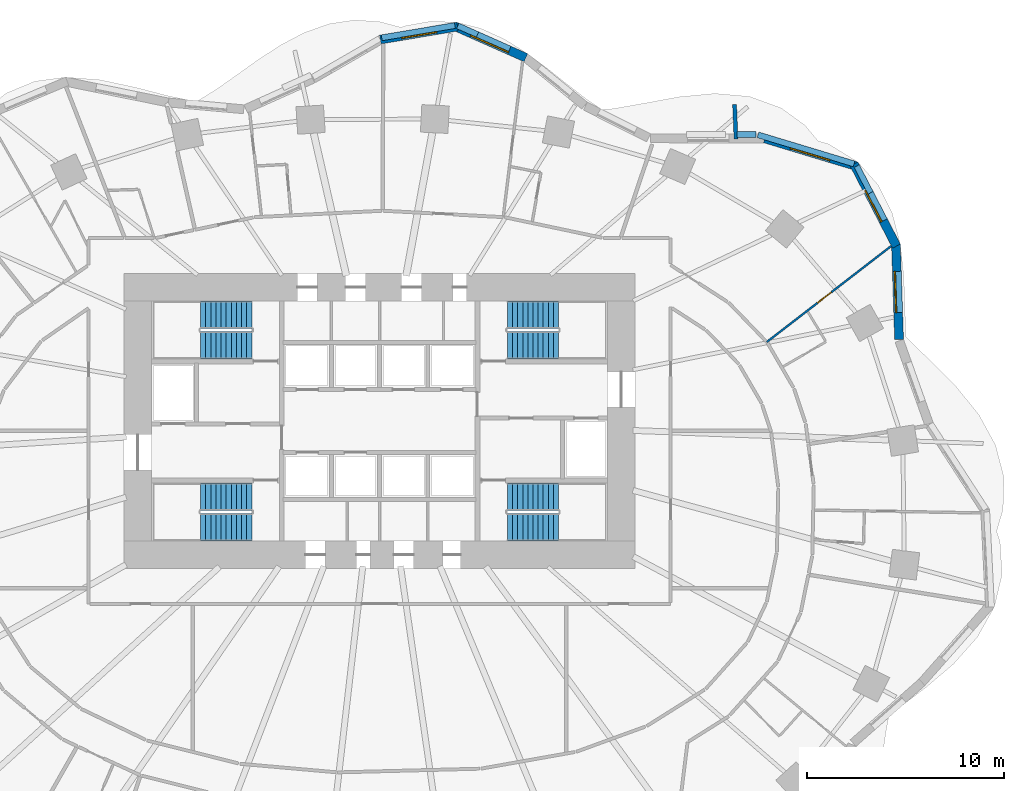
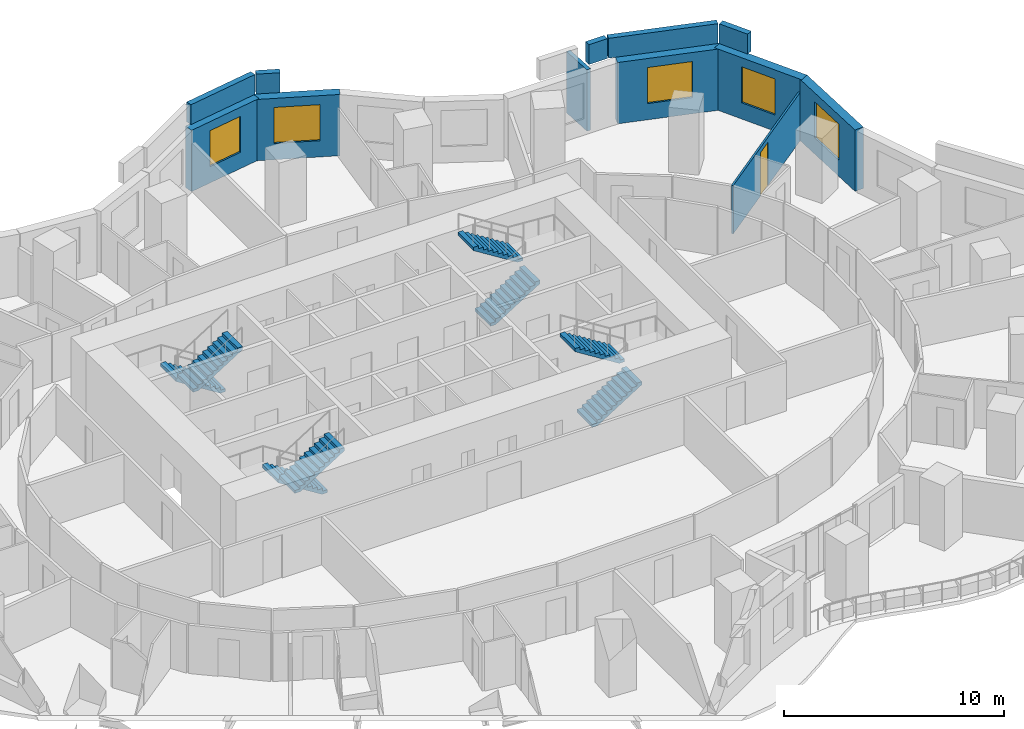
# One storey, part 11 of 14: 12 walls, 8 stair flights, 5 windows, 1 door, 6 openings, 4 elements without a shape of their own.
"""IFC4 building model written with IfcOpenShell, lengths in metres."""

from ifc_helpers import new_model, si_unit, direction, frame, frame_2d, origin, place, context, subcontext, project, spatial, polyline, rectangle, outline, extrude, material, layer, layer_set, type_object, element, fill, aggregate, save


model = new_model("IFC4")

# Units and contexts
model_context = context("Model", 3, precision=1e-05, world=origin(), true_north=direction((0.0, 1.0)))
body_context = subcontext(model_context, "Body", "Model", "MODEL_VIEW")
ifc_project = project(units=[si_unit("LENGTHUNIT", "METRE"), si_unit("AREAUNIT", "SQUARE_METRE"), si_unit("VOLUMEUNIT", "CUBIC_METRE"), si_unit("PLANEANGLEUNIT", "RADIAN"), si_unit("MASSUNIT", "GRAM", prefix="KILO")], contexts=[model_context])

# Site, building, storey
site_placement = place(None, origin())
site = spatial("IfcSite", under=ifc_project, at=site_placement, CompositionType="ELEMENT")
building_placement = place(site_placement, origin())
building = spatial("IfcBuilding", under=site, at=building_placement, Name="Rubra Terraces Tower", CompositionType="ELEMENT")
storey_placement = place(building_placement, frame((0.0, 0.0, 44.699951171875)))
storey = spatial("IfcBuildingStorey", under=building, at=storey_placement, Name="L08", CompositionType="ELEMENT", Elevation=44.699951171875)

# Wall, opening, window
ifc_material_1 = material(Name="Brick masonry red-brown", Category="masonry")
ifc_layer_1 = layer(ifc_material_1, 0.449951171875)
ifc_layer_set_1 = layer_set([ifc_layer_1], Name="Brick masonry red-brown")
wall_type_1 = type_object("IfcWallType", Name="Brick facade wall 450", PredefinedType="SOLIDWALL", material=ifc_layer_set_1)
wall_1_placement = place(storey_placement, frame((26.416015625, 8.6376953125, 0.0), z_axis=(0.0, 0.0, 1.0), x_axis=(-0.03254979302, 0.999470115098, 0.0)))
wall_1 = element("IfcWall", 1, at=wall_1_placement, inside=storey, type_object=wall_type_1, Name="Facade wall L08 bay 3", PredefinedType="SOLIDWALL", context=body_context, shape_type="SweptSolid", body=[
    extrude(rectangle(XDim=4.845458984375, YDim=0.449951171875, at=frame_2d((2.4228515625, 0.0))), origin(), (0.0, 0.0, 1.0), 3.400146484375),
])
opening_1_placement = place(wall_1_placement, frame((1.37255859375, 0.0, 0.89990234375)))
opening_1 = element("IfcOpeningElement", 2, at=opening_1_placement, cuts=wall_1, Name="Opening W1", PredefinedType="OPENING", context=body_context, shape_type="SweptSolid", body=[
    extrude(rectangle(XDim=2.10009765625, YDim=2.0, at=frame_2d((1.050048828125, 1.0))), frame((0.0, 0.23486328125, 0.0), z_axis=(0.0, -1.0, 0.0), x_axis=(1.0, 0.0, 0.0)), (0.0, 0.0, 1.0), 0.469970703125),
])
ifc_material_2 = material(Name="Clear glass in aluminium frame", Category="aluminium")
window_type_1 = type_object("IfcWindowType", Name="Fixed deep-set window 2100 x 2000", PartitioningType="SINGLE_PANEL", PredefinedType="WINDOW", material=ifc_material_2)
window_1_placement = place(opening_1_placement, origin())
window_1 = element("IfcWindow", 3, at=window_1_placement, inside=storey, type_object=window_type_1, Name="Window L08 bay 3", OverallHeight=2.0, OverallWidth=2.10009765625, PartitioningType="SINGLE_PANEL", PredefinedType="WINDOW", context=body_context, shape_type="SweptSolid", body=[
    extrude(rectangle(XDim=2.10009765625, YDim=2.0, at=frame_2d((1.050048828125, 1.0))), frame((0.0, 0.135009765625, 0.0), z_axis=(0.0, -1.0, 0.0), x_axis=(1.0, 0.0, 0.0)), (0.0, 0.0, 1.0), 0.06005859375),
])
fill(opening_1, window_1)

wall_2_placement = place(storey_placement, frame((26.283203125, 13.390625, 0.0), z_axis=(0.0, 0.0, 1.0), x_axis=(-0.459485057932, 0.888185499509, 0.0)))
wall_2 = element("IfcWall", 4, at=wall_2_placement, inside=storey, type_object=wall_type_1, Name="Facade wall L08 bay 4", PredefinedType="SOLIDWALL", context=body_context, shape_type="SweptSolid", body=[
    extrude(rectangle(XDim=4.702880859375, YDim=0.449951171875, at=frame_2d((2.3515625, 0.0))), origin(), (0.0, 0.0, 1.0), 3.400146484375),
])
opening_2_placement = place(wall_2_placement, frame((1.451416015625, 0.0, 0.89990234375)))
opening_2 = element("IfcOpeningElement", 5, at=opening_2_placement, cuts=wall_2, Name="Opening W6", PredefinedType="OPENING", context=body_context, shape_type="SweptSolid", body=[
    extrude(rectangle(XDim=1.800048828125, YDim=2.0, at=frame_2d((0.89990234375, 1.0))), frame((0.0, 0.23486328125, 0.0), z_axis=(0.0, -1.0, 0.0), x_axis=(1.0, 0.0, 0.0)), (0.0, 0.0, 1.0), 0.469970703125),
])
window_type_2 = type_object("IfcWindowType", Name="Fixed deep-set window at wind fin 1800 x 2000", PartitioningType="SINGLE_PANEL", PredefinedType="WINDOW", material=ifc_material_2)
window_2_placement = place(opening_2_placement, origin())
window_2 = element("IfcWindow", 6, at=window_2_placement, inside=storey, type_object=window_type_2, Name="Window L08 bay 4", OverallHeight=2.0, OverallWidth=1.800048828125, PartitioningType="SINGLE_PANEL", PredefinedType="WINDOW", context=body_context, shape_type="SweptSolid", body=[
    extrude(rectangle(XDim=1.800048828125, YDim=2.0, at=frame_2d((0.89990234375, 1.0))), frame((0.0, 0.135009765625, 0.0), z_axis=(0.0, -1.0, 0.0), x_axis=(1.0, 0.0, 0.0)), (0.0, 0.0, 1.0), 0.06005859375),
])
fill(opening_2, window_2)

wall_3_placement = place(storey_placement, frame((24.2568359375, 17.45556640625, 0.0), z_axis=(0.0, 0.0, 1.0), x_axis=(-0.957268138294, 0.289201852359, 0.0)))
wall_3 = element("IfcWall", 7, at=wall_3_placement, inside=storey, type_object=wall_type_1, Name="Facade wall L08 bay 5", PredefinedType="SOLIDWALL", context=body_context, shape_type="SweptSolid", body=[
    extrude(rectangle(XDim=4.87939453125, YDim=0.449951171875, at=frame_2d((2.439697265625, 0.0))), origin(), (0.0, 0.0, 1.0), 3.400146484375),
])
opening_3_placement = place(wall_3_placement, frame((1.3896484375, 0.0, 0.89990234375)))
opening_3 = element("IfcOpeningElement", 8, at=opening_3_placement, cuts=wall_3, Name="Opening W1", PredefinedType="OPENING", context=body_context, shape_type="SweptSolid", body=[
    extrude(rectangle(XDim=2.10009765625, YDim=2.0, at=frame_2d((1.050048828125, 1.0))), frame((0.0, 0.23486328125, 0.0), z_axis=(0.0, -1.0, 0.0), x_axis=(1.0, 0.0, 0.0)), (0.0, 0.0, 1.0), 0.469970703125),
])
window_3_placement = place(opening_3_placement, origin())
window_3 = element("IfcWindow", 9, at=window_3_placement, inside=storey, type_object=window_type_1, Name="Window L08 bay 5", OverallHeight=2.0, OverallWidth=2.10009765625, PartitioningType="SINGLE_PANEL", PredefinedType="WINDOW", context=body_context, shape_type="SweptSolid", body=[
    extrude(rectangle(XDim=2.10009765625, YDim=2.0, at=frame_2d((1.050048828125, 1.0))), frame((0.0, 0.135009765625, 0.0), z_axis=(0.0, -1.0, 0.0), x_axis=(1.0, 0.0, 0.0)), (0.0, 0.0, 1.0), 0.06005859375),
])
fill(opening_3, window_3)

wall_4_placement = place(storey_placement, frame((7.439697265625, 22.972412109375, 0.0), z_axis=(0.0, 0.0, 1.0), x_axis=(-0.914114918534, 0.405455195692, 0.0)))
wall_4 = element("IfcWall", 10, at=wall_4_placement, inside=storey, type_object=wall_type_1, Name="Facade wall L08 bay 9", PredefinedType="SOLIDWALL", context=body_context, shape_type="SweptSolid", body=[
    extrude(rectangle(XDim=3.94580078125, YDim=0.449951171875, at=frame_2d((1.972900390625, 0.0))), origin(), (0.0, 0.0, 1.0), 3.400146484375),
])
opening_4_placement = place(wall_4_placement, frame((0.923095703125, 0.0, 0.89990234375)))
opening_4 = element("IfcOpeningElement", 11, at=opening_4_placement, cuts=wall_4, Name="Opening W1", PredefinedType="OPENING", context=body_context, shape_type="SweptSolid", body=[
    extrude(rectangle(XDim=2.10009765625, YDim=2.0, at=frame_2d((1.050048828125, 1.0))), frame((0.0, 0.23486328125, 0.0), z_axis=(0.0, -1.0, 0.0), x_axis=(1.0, 0.0, 0.0)), (0.0, 0.0, 1.0), 0.469970703125),
])
window_4_placement = place(opening_4_placement, origin())
window_4 = element("IfcWindow", 12, at=window_4_placement, inside=storey, type_object=window_type_1, Name="Window L08 bay 9", OverallHeight=2.0, OverallWidth=2.10009765625, PartitioningType="SINGLE_PANEL", PredefinedType="WINDOW", context=body_context, shape_type="SweptSolid", body=[
    extrude(rectangle(XDim=2.10009765625, YDim=2.0, at=frame_2d((1.050048828125, 1.0))), frame((0.0, 0.135009765625, 0.0), z_axis=(0.0, -1.0, 0.0), x_axis=(1.0, 0.0, 0.0)), (0.0, 0.0, 1.0), 0.06005859375),
])
fill(opening_4, window_4)

wall_5_placement = place(storey_placement, frame((3.96142578125, 24.55615234375, 0.0), z_axis=(0.0, 0.0, 1.0), x_axis=(-0.986102211406, -0.166139786505, 0.0)))
wall_5 = element("IfcWall", 13, at=wall_5_placement, inside=storey, type_object=wall_type_1, Name="Facade wall L08 bay 10", PredefinedType="SOLIDWALL", context=body_context, shape_type="SweptSolid", body=[
    extrude(rectangle(XDim=3.9794921875, YDim=0.449951171875, at=frame_2d((1.98974609375, 0.0))), origin(), (0.0, 0.0, 1.0), 3.400146484375),
])
opening_5_placement = place(wall_5_placement, frame((1.089599609375, 0.0, 0.89990234375)))
opening_5 = element("IfcOpeningElement", 14, at=opening_5_placement, cuts=wall_5, Name="Opening W6", PredefinedType="OPENING", context=body_context, shape_type="SweptSolid", body=[
    extrude(rectangle(XDim=1.800048828125, YDim=2.0, at=frame_2d((0.89990234375, 1.0))), frame((0.0, 0.23486328125, 0.0), z_axis=(0.0, -1.0, 0.0), x_axis=(1.0, 0.0, 0.0)), (0.0, 0.0, 1.0), 0.469970703125),
])
window_5_placement = place(opening_5_placement, origin())
window_5 = element("IfcWindow", 15, at=window_5_placement, inside=storey, type_object=window_type_2, Name="Window L08 bay 10", OverallHeight=2.0, OverallWidth=1.800048828125, PartitioningType="SINGLE_PANEL", PredefinedType="WINDOW", context=body_context, shape_type="SweptSolid", body=[
    extrude(rectangle(XDim=1.800048828125, YDim=2.0, at=frame_2d((0.89990234375, 1.0))), frame((0.0, 0.135009765625, 0.0), z_axis=(0.0, -1.0, 0.0), x_axis=(1.0, 0.0, 0.0)), (0.0, 0.0, 1.0), 0.06005859375),
])
fill(opening_5, window_5)

# Walls
ifc_layer_2 = layer(ifc_material_1, 0.300048828125)
ifc_layer_set_2 = layer_set([ifc_layer_2], Name="Brick masonry red-brown")
wall_type_2 = type_object("IfcWallType", Name="Brick parapet 300", PredefinedType="PARAPET", material=ifc_layer_set_2)
wall_6_placement = place(storey_placement, frame((24.96533203125, 16.100830078125, 3.60009765625), z_axis=(0.0, 0.0, 1.0), x_axis=(-0.459461897951, 0.88819748048, 0.0)))
element("IfcWall", 16, at=wall_6_placement, inside=storey, type_object=wall_type_2, Name="Parapet L08 bay 4", PredefinedType="PARAPET", context=body_context, shape_type="SweptSolid", body=[
    extrude(rectangle(XDim=1.533447265625, YDim=0.300048828125, at=frame_2d((0.7666015625, 0.0))), origin(), (0.0, 0.0, 1.0), 1.099853515625),
])
wall_7_placement = place(storey_placement, frame((24.12841796875, 17.57275390625, 3.60009765625), z_axis=(0.0, 0.0, 1.0), x_axis=(-0.95727702005, 0.289172451806, 0.0)))
element("IfcWall", 17, at=wall_7_placement, inside=storey, type_object=wall_type_2, Name="Parapet L08 bay 5", PredefinedType="PARAPET", context=body_context, shape_type="SweptSolid", body=[
    extrude(rectangle(XDim=5.105224609375, YDim=0.300048828125, at=frame_2d((2.552734375, 0.0))), origin(), (0.0, 0.0, 1.0), 1.099853515625),
])
wall_8_placement = place(storey_placement, frame((19.1396484375, 19.064208984375, 3.60009765625), z_axis=(0.0, 0.0, 1.0), x_axis=(-0.999994556719, 0.003299474426, 0.0)))
element("IfcWall", 18, at=wall_8_placement, inside=storey, type_object=wall_type_2, Name="Parapet L08 bay 6", PredefinedType="PARAPET", context=body_context, shape_type="SweptSolid", body=[
    extrude(rectangle(XDim=0.9619140625, YDim=0.300048828125, at=frame_2d((0.48095703125, 0.0))), origin(), (0.0, 0.0, 1.0), 1.099853515625),
])
wall_9_placement = place(storey_placement, frame((4.9794921875, 24.145751953125, 3.60009765625), z_axis=(0.0, 0.0, 1.0), x_axis=(-0.91414047558, 0.405397571412, 0.0)))
element("IfcWall", 19, at=wall_9_placement, inside=storey, type_object=wall_type_2, Name="Parapet L08 bay 9", PredefinedType="PARAPET", context=body_context, shape_type="SweptSolid", body=[
    extrude(rectangle(XDim=1.100830078125, YDim=0.300048828125, at=frame_2d((0.55029296875, 0.0))), origin(), (0.0, 0.0, 1.0), 1.099853515625),
])
wall_10_placement = place(storey_placement, frame((3.830322265625, 24.610107421875, 3.60009765625), z_axis=(0.0, 0.0, 1.0), x_axis=(-0.986111051666, -0.166087307712, 0.0)))
element("IfcWall", 20, at=wall_10_placement, inside=storey, type_object=wall_type_2, Name="Parapet L08 bay 10", PredefinedType="PARAPET", context=body_context, shape_type="SweptSolid", body=[
    extrude(rectangle(XDim=3.77490234375, YDim=0.300048828125, at=frame_2d((1.887451171875, 0.0))), origin(), (0.0, 0.0, 1.0), 1.099853515625),
])
ifc_layer_3 = layer(ifc_material_1, 0.199951171875)
ifc_layer_set_3 = layer_set([ifc_layer_3], Name="Brick masonry red-brown")
wall_type_3 = type_object("IfcWallType", Name="Brick wind fin 200", PredefinedType="SOLIDWALL", material=ifc_layer_set_3)
wall_11_placement = place(storey_placement, frame((18.125, 18.839111328125, 0.0), z_axis=(0.0, 0.0, 1.0), x_axis=(-0.042274699855, 0.999106025281, 0.0)))
element("IfcWall", 21, at=wall_11_placement, inside=storey, type_object=wall_type_3, Name="Wind fin L08 4", PredefinedType="SOLIDWALL", context=body_context, shape_type="SweptSolid", body=[
    extrude(rectangle(XDim=1.749755859375, YDim=0.199951171875, at=frame_2d((0.875, 0.0))), origin(), (0.0, 0.0, 1.0), 3.400146484375),
])

# Wall, opening, door
ifc_material_3 = material(Name="Plasterboard on steel stud", Category="steel")
ifc_layer_4 = layer(ifc_material_3, 0.10009765625)
ifc_layer_set_4 = layer_set([ifc_layer_4], Name="Plasterboard on steel stud")
wall_type_4 = type_object("IfcWallType", Name="ROOM PARTITION 100", PredefinedType="PARTITIONING", material=ifc_layer_set_4)
wall_12_placement = place(storey_placement, frame((26.021240234375, 13.3984375, 0.0), z_axis=(0.0, 0.0, 1.0), x_axis=(-0.791905002939, -0.610644304256, 0.0)))
wall_12 = element("IfcWall", 22, at=wall_12_placement, inside=storey, type_object=wall_type_4, Name="PARTITION", PredefinedType="PARTITIONING", context=body_context, shape_type="SweptSolid", body=[
    extrude(rectangle(XDim=7.99658203125, YDim=0.10009765625, at=frame_2d((3.998291015625, 0.0))), origin(), (0.0, 0.0, 1.0), 2.679931640625),
])
opening_6_placement = place(wall_12_placement, frame((3.846923828125, 0.0, 0.0)))
opening_6 = element("IfcOpeningElement", 23, at=opening_6_placement, cuts=wall_12, Name="Opening 08-132", PredefinedType="OPENING", context=body_context, shape_type="SweptSolid", body=[
    extrude(rectangle(XDim=0.89990234375, YDim=2.39990234375, at=frame_2d((0.449951171875, 1.199951171875))), frame((0.0, 0.06005859375, 0.0), z_axis=(0.0, -1.0, 0.0), x_axis=(1.0, 0.0, 0.0)), (0.0, 0.0, 1.0), 0.1201171875),
])
ifc_material_4 = material(Name="Veneered timber door leaf, fire-rated", Category="wood")
door_type = type_object("IfcDoorType", Name="SUITE ENTRANCE DOOR 900 X 2400", OperationType="SINGLE_SWING_LEFT", PredefinedType="DOOR", material=ifc_material_4)
door_placement = place(opening_6_placement, origin())
door = element("IfcDoor", 24, at=door_placement, inside=storey, type_object=door_type, Name="DOOR 08-132", OperationType="SINGLE_SWING_LEFT", OverallHeight=2.39990234375, OverallWidth=0.89990234375, PredefinedType="DOOR", context=body_context, shape_type="SweptSolid", body=[
    extrude(rectangle(XDim=0.89990234375, YDim=2.39990234375, at=frame_2d((0.449951171875, 1.199951171875))), frame((0.0, 0.02490234375, 0.0), z_axis=(0.0, -1.0, 0.0), x_axis=(1.0, 0.0, 0.0)), (0.0, 0.0, 1.0), 0.050048828125),
])
fill(opening_6, door)

# Stair, stair flights
ifc_material_5 = material(Name="Concrete C40", Category="concrete")
stair_type = type_object("IfcStairType", Name="Core stair 1400", PredefinedType="HALF_TURN_STAIR", material=ifc_material_5)
stair_1_placement = place(storey_placement, origin())
stair_1 = element("IfcStair", 25, at=stair_1_placement, inside=storey, type_object=stair_type, Name="L08 Exit stair S1", PredefinedType="HALF_TURN_STAIR")
stair_flight_type = type_object("IfcStairFlightType", Name="Core stair flight 1400", PredefinedType="STRAIGHT", material=ifc_material_5)
stair_flight_1_placement = place(storey_placement, frame((-6.5, 0.64990234375, 0.0), z_axis=(0.0, 0.0, 1.0), x_axis=(-1.0, 0.0, 0.0)))
stair_flight_1 = element("IfcStairFlight", 26, at=stair_flight_1_placement, type_object=stair_flight_type, Name="S1 flight 1", NumberOfRisers=11, NumberOfTreads=10, PredefinedType="STRAIGHT", RiserHeight=0.163636364, TreadLength=0.26, context=body_context, shape_type="SweptSolid", body=[
    extrude(outline(polyline([(0.0, 0.0), (0.0, 0.16357421875), (0.260009765625, 0.16357421875), (0.260009765625, 0.327392578125), (0.52001953125, 0.327392578125), (0.52001953125, 0.490966796875), (0.780029296875, 0.490966796875), (0.780029296875, 0.654541015625), (1.0400390625, 0.654541015625), (1.0400390625, 0.818115234375), (1.300048828125, 0.818115234375), (1.300048828125, 0.98193359375), (1.56005859375, 0.98193359375), (1.56005859375, 1.1455078125), (1.820068359375, 1.1455078125), (1.820068359375, 1.30908203125), (2.080078125, 1.30908203125), (2.080078125, 1.47265625), (2.340087890625, 1.47265625), (2.340087890625, 1.636474609375), (2.60009765625, 1.636474609375), (2.60009765625, 1.800048828125), (2.60009765625, 1.459228515625), (0.281494140625, 0.0), (0.0, 0.0)])), frame((0.0, 0.699951171875, 0.0), z_axis=(0.0, -1.0, 0.0), x_axis=(1.0, 0.0, 0.0)), (0.0, 0.0, 1.0), 1.39990234375),
])
stair_flight_2_placement = place(storey_placement, frame((-9.10009765625, -0.89990234375, 1.800048828125), z_axis=(0.0, 0.0, 1.0), x_axis=(1.0, 0.0, 0.0)))
stair_flight_2 = element("IfcStairFlight", 27, at=stair_flight_2_placement, type_object=stair_flight_type, Name="S1 flight 2", NumberOfRisers=11, NumberOfTreads=10, PredefinedType="STRAIGHT", RiserHeight=0.163636364, TreadLength=0.26, context=body_context, shape_type="SweptSolid", body=[
    extrude(outline(polyline([(0.0, 0.0), (0.0, 0.16357421875), (0.260009765625, 0.16357421875), (0.260009765625, 0.327392578125), (0.52001953125, 0.327392578125), (0.52001953125, 0.490966796875), (0.780029296875, 0.490966796875), (0.780029296875, 0.654541015625), (1.0400390625, 0.654541015625), (1.0400390625, 0.818115234375), (1.300048828125, 0.818115234375), (1.300048828125, 0.98193359375), (1.56005859375, 0.98193359375), (1.56005859375, 1.1455078125), (1.820068359375, 1.1455078125), (1.820068359375, 1.30908203125), (2.080078125, 1.30908203125), (2.080078125, 1.47265625), (2.340087890625, 1.47265625), (2.340087890625, 1.636474609375), (2.60009765625, 1.636474609375), (2.60009765625, 1.800048828125), (2.60009765625, 1.459228515625), (0.281494140625, 0.0), (0.0, 0.0)])), frame((0.0, 0.699951171875, 0.0), z_axis=(0.0, -1.0, 0.0), x_axis=(1.0, 0.0, 0.0)), (0.0, 0.0, 1.0), 1.39990234375),
])
aggregate(stair_1, [stair_flight_1, stair_flight_2])

stair_2_placement = place(storey_placement, origin())
stair_2 = element("IfcStair", 28, at=stair_2_placement, inside=storey, type_object=stair_type, Name="L08 Exit stair S2", PredefinedType="HALF_TURN_STAIR")
stair_flight_3_placement = place(storey_placement, frame((-6.5, 9.89990234375, 0.0), z_axis=(0.0, 0.0, 1.0), x_axis=(-1.0, 0.0, 0.0)))
stair_flight_3 = element("IfcStairFlight", 29, at=stair_flight_3_placement, type_object=stair_flight_type, Name="S2 flight 1", NumberOfRisers=11, NumberOfTreads=10, PredefinedType="STRAIGHT", RiserHeight=0.163636364, TreadLength=0.26, context=body_context, shape_type="SweptSolid", body=[
    extrude(outline(polyline([(0.0, 0.0), (0.0, 0.16357421875), (0.260009765625, 0.16357421875), (0.260009765625, 0.327392578125), (0.52001953125, 0.327392578125), (0.52001953125, 0.490966796875), (0.780029296875, 0.490966796875), (0.780029296875, 0.654541015625), (1.0400390625, 0.654541015625), (1.0400390625, 0.818115234375), (1.300048828125, 0.818115234375), (1.300048828125, 0.98193359375), (1.56005859375, 0.98193359375), (1.56005859375, 1.1455078125), (1.820068359375, 1.1455078125), (1.820068359375, 1.30908203125), (2.080078125, 1.30908203125), (2.080078125, 1.47265625), (2.340087890625, 1.47265625), (2.340087890625, 1.636474609375), (2.60009765625, 1.636474609375), (2.60009765625, 1.800048828125), (2.60009765625, 1.459228515625), (0.281494140625, 0.0), (0.0, 0.0)])), frame((0.0, 0.699951171875, 0.0), z_axis=(0.0, -1.0, 0.0), x_axis=(1.0, 0.0, 0.0)), (0.0, 0.0, 1.0), 1.39990234375),
])
stair_flight_4_placement = place(storey_placement, frame((-9.10009765625, 8.35009765625, 1.800048828125), z_axis=(0.0, 0.0, 1.0), x_axis=(1.0, 0.0, 0.0)))
stair_flight_4 = element("IfcStairFlight", 30, at=stair_flight_4_placement, type_object=stair_flight_type, Name="S2 flight 2", NumberOfRisers=11, NumberOfTreads=10, PredefinedType="STRAIGHT", RiserHeight=0.163636364, TreadLength=0.26, context=body_context, shape_type="SweptSolid", body=[
    extrude(outline(polyline([(0.0, 0.0), (0.0, 0.16357421875), (0.260009765625, 0.16357421875), (0.260009765625, 0.327392578125), (0.52001953125, 0.327392578125), (0.52001953125, 0.490966796875), (0.780029296875, 0.490966796875), (0.780029296875, 0.654541015625), (1.0400390625, 0.654541015625), (1.0400390625, 0.818115234375), (1.300048828125, 0.818115234375), (1.300048828125, 0.98193359375), (1.56005859375, 0.98193359375), (1.56005859375, 1.1455078125), (1.820068359375, 1.1455078125), (1.820068359375, 1.30908203125), (2.080078125, 1.30908203125), (2.080078125, 1.47265625), (2.340087890625, 1.47265625), (2.340087890625, 1.636474609375), (2.60009765625, 1.636474609375), (2.60009765625, 1.800048828125), (2.60009765625, 1.459228515625), (0.281494140625, 0.0), (0.0, 0.0)])), frame((0.0, 0.699951171875, 0.0), z_axis=(0.0, -1.0, 0.0), x_axis=(1.0, 0.0, 0.0)), (0.0, 0.0, 1.0), 1.39990234375),
])
aggregate(stair_2, [stair_flight_3, stair_flight_4])

stair_3_placement = place(storey_placement, origin())
stair_3 = element("IfcStair", 31, at=stair_3_placement, inside=storey, type_object=stair_type, Name="L08 Exit stair S3", PredefinedType="HALF_TURN_STAIR")
stair_flight_5_placement = place(storey_placement, frame((6.5, 8.35009765625, 0.0), z_axis=(0.0, 0.0, 1.0), x_axis=(1.0, 0.0, 0.0)))
stair_flight_5 = element("IfcStairFlight", 32, at=stair_flight_5_placement, type_object=stair_flight_type, Name="S3 flight 1", NumberOfRisers=11, NumberOfTreads=10, PredefinedType="STRAIGHT", RiserHeight=0.163636364, TreadLength=0.26, context=body_context, shape_type="SweptSolid", body=[
    extrude(outline(polyline([(0.0, 0.0), (0.0, 0.16357421875), (0.260009765625, 0.16357421875), (0.260009765625, 0.327392578125), (0.52001953125, 0.327392578125), (0.52001953125, 0.490966796875), (0.780029296875, 0.490966796875), (0.780029296875, 0.654541015625), (1.0400390625, 0.654541015625), (1.0400390625, 0.818115234375), (1.300048828125, 0.818115234375), (1.300048828125, 0.98193359375), (1.56005859375, 0.98193359375), (1.56005859375, 1.1455078125), (1.820068359375, 1.1455078125), (1.820068359375, 1.30908203125), (2.080078125, 1.30908203125), (2.080078125, 1.47265625), (2.340087890625, 1.47265625), (2.340087890625, 1.636474609375), (2.60009765625, 1.636474609375), (2.60009765625, 1.800048828125), (2.60009765625, 1.459228515625), (0.281494140625, 0.0), (0.0, 0.0)])), frame((0.0, 0.699951171875, 0.0), z_axis=(0.0, -1.0, 0.0), x_axis=(1.0, 0.0, 0.0)), (0.0, 0.0, 1.0), 1.39990234375),
])
stair_flight_6_placement = place(storey_placement, frame((9.10009765625, 9.89990234375, 1.800048828125), z_axis=(0.0, 0.0, 1.0), x_axis=(-1.0, 0.0, 0.0)))
stair_flight_6 = element("IfcStairFlight", 33, at=stair_flight_6_placement, type_object=stair_flight_type, Name="S3 flight 2", NumberOfRisers=11, NumberOfTreads=10, PredefinedType="STRAIGHT", RiserHeight=0.163636364, TreadLength=0.26, context=body_context, shape_type="SweptSolid", body=[
    extrude(outline(polyline([(0.0, 0.0), (0.0, 0.16357421875), (0.260009765625, 0.16357421875), (0.260009765625, 0.327392578125), (0.52001953125, 0.327392578125), (0.52001953125, 0.490966796875), (0.780029296875, 0.490966796875), (0.780029296875, 0.654541015625), (1.0400390625, 0.654541015625), (1.0400390625, 0.818115234375), (1.300048828125, 0.818115234375), (1.300048828125, 0.98193359375), (1.56005859375, 0.98193359375), (1.56005859375, 1.1455078125), (1.820068359375, 1.1455078125), (1.820068359375, 1.30908203125), (2.080078125, 1.30908203125), (2.080078125, 1.47265625), (2.340087890625, 1.47265625), (2.340087890625, 1.636474609375), (2.60009765625, 1.636474609375), (2.60009765625, 1.800048828125), (2.60009765625, 1.459228515625), (0.281494140625, 0.0), (0.0, 0.0)])), frame((0.0, 0.699951171875, 0.0), z_axis=(0.0, -1.0, 0.0), x_axis=(1.0, 0.0, 0.0)), (0.0, 0.0, 1.0), 1.39990234375),
])
aggregate(stair_3, [stair_flight_5, stair_flight_6])

stair_4_placement = place(storey_placement, origin())
stair_4 = element("IfcStair", 34, at=stair_4_placement, inside=storey, type_object=stair_type, Name="L08 Exit stair S4", PredefinedType="HALF_TURN_STAIR")
stair_flight_7_placement = place(storey_placement, frame((6.5, -0.89990234375, 0.0), z_axis=(0.0, 0.0, 1.0), x_axis=(1.0, 0.0, 0.0)))
stair_flight_7 = element("IfcStairFlight", 35, at=stair_flight_7_placement, type_object=stair_flight_type, Name="S4 flight 1", NumberOfRisers=11, NumberOfTreads=10, PredefinedType="STRAIGHT", RiserHeight=0.163636364, TreadLength=0.26, context=body_context, shape_type="SweptSolid", body=[
    extrude(outline(polyline([(0.0, 0.0), (0.0, 0.16357421875), (0.260009765625, 0.16357421875), (0.260009765625, 0.327392578125), (0.52001953125, 0.327392578125), (0.52001953125, 0.490966796875), (0.780029296875, 0.490966796875), (0.780029296875, 0.654541015625), (1.0400390625, 0.654541015625), (1.0400390625, 0.818115234375), (1.300048828125, 0.818115234375), (1.300048828125, 0.98193359375), (1.56005859375, 0.98193359375), (1.56005859375, 1.1455078125), (1.820068359375, 1.1455078125), (1.820068359375, 1.30908203125), (2.080078125, 1.30908203125), (2.080078125, 1.47265625), (2.340087890625, 1.47265625), (2.340087890625, 1.636474609375), (2.60009765625, 1.636474609375), (2.60009765625, 1.800048828125), (2.60009765625, 1.459228515625), (0.281494140625, 0.0), (0.0, 0.0)])), frame((0.0, 0.699951171875, 0.0), z_axis=(0.0, -1.0, 0.0), x_axis=(1.0, 0.0, 0.0)), (0.0, 0.0, 1.0), 1.39990234375),
])
stair_flight_8_placement = place(storey_placement, frame((9.10009765625, 0.64990234375, 1.800048828125), z_axis=(0.0, 0.0, 1.0), x_axis=(-1.0, 0.0, 0.0)))
stair_flight_8 = element("IfcStairFlight", 36, at=stair_flight_8_placement, type_object=stair_flight_type, Name="S4 flight 2", NumberOfRisers=11, NumberOfTreads=10, PredefinedType="STRAIGHT", RiserHeight=0.163636364, TreadLength=0.26, context=body_context, shape_type="SweptSolid", body=[
    extrude(outline(polyline([(0.0, 0.0), (0.0, 0.16357421875), (0.260009765625, 0.16357421875), (0.260009765625, 0.327392578125), (0.52001953125, 0.327392578125), (0.52001953125, 0.490966796875), (0.780029296875, 0.490966796875), (0.780029296875, 0.654541015625), (1.0400390625, 0.654541015625), (1.0400390625, 0.818115234375), (1.300048828125, 0.818115234375), (1.300048828125, 0.98193359375), (1.56005859375, 0.98193359375), (1.56005859375, 1.1455078125), (1.820068359375, 1.1455078125), (1.820068359375, 1.30908203125), (2.080078125, 1.30908203125), (2.080078125, 1.47265625), (2.340087890625, 1.47265625), (2.340087890625, 1.636474609375), (2.60009765625, 1.636474609375), (2.60009765625, 1.800048828125), (2.60009765625, 1.459228515625), (0.281494140625, 0.0), (0.0, 0.0)])), frame((0.0, 0.699951171875, 0.0), z_axis=(0.0, -1.0, 0.0), x_axis=(1.0, 0.0, 0.0)), (0.0, 0.0, 1.0), 1.39990234375),
])
aggregate(stair_4, [stair_flight_7, stair_flight_8])

save(model, "model.ifc")
